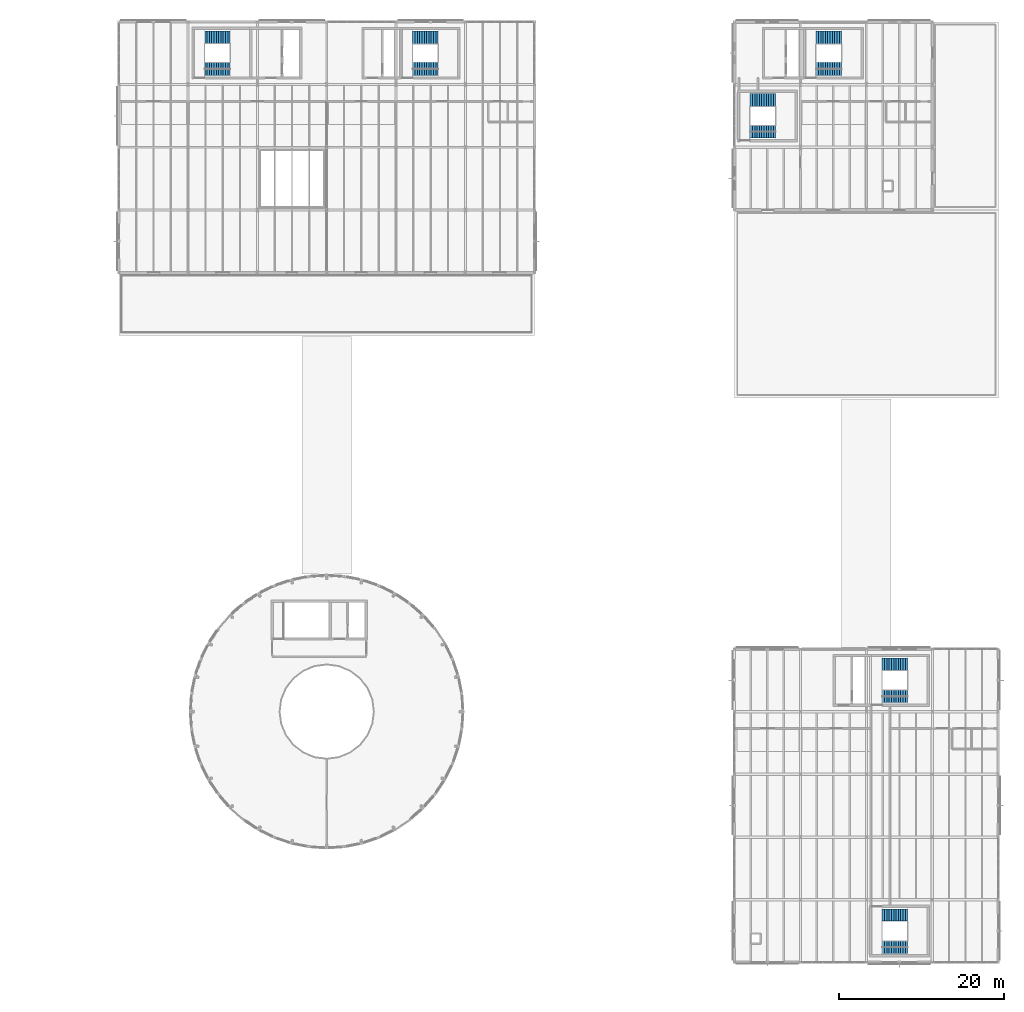
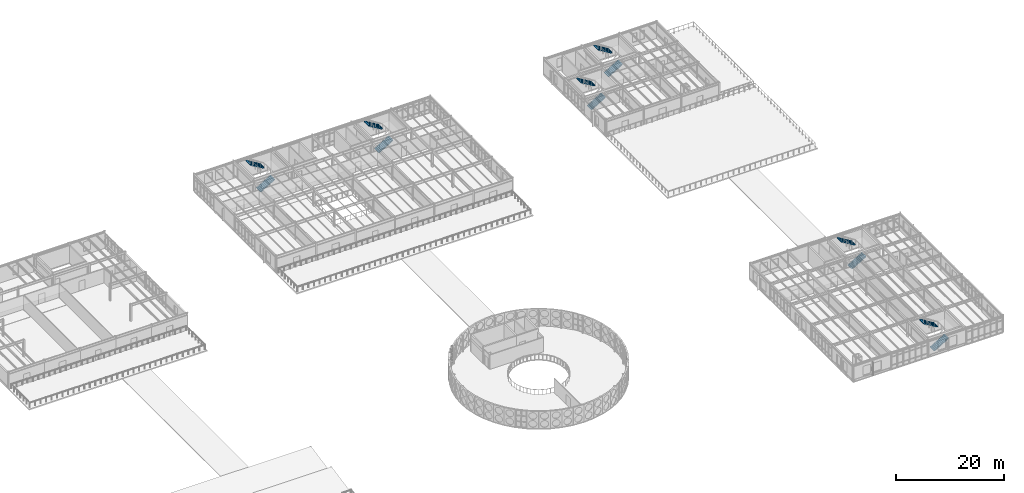
# One storey, part 97 of 114: 12 stair flights, 6 elements without a shape of their own.
"""IFC4 building model written with IfcOpenShell, lengths in metres."""

from ifc_helpers import new_model, si_unit, direction, frame, origin, place, context, subcontext, project, spatial, polyline, outline, extrude, material, type_object, element, aggregate, save


model = new_model("IFC4")

# Units and contexts
model_context = context("Model", 3, precision=1e-05, world=origin(), true_north=direction((0.0, 1.0)))
body_context = subcontext(model_context, "Body", "Model", "MODEL_VIEW")
ifc_project = project(units=[si_unit("LENGTHUNIT", "METRE"), si_unit("AREAUNIT", "SQUARE_METRE"), si_unit("VOLUMEUNIT", "CUBIC_METRE"), si_unit("PLANEANGLEUNIT", "RADIAN"), si_unit("MASSUNIT", "GRAM", prefix="KILO")], contexts=[model_context])

# Site, building, storey
site_placement = place(None, origin())
site = spatial("IfcSite", under=ifc_project, at=site_placement, CompositionType="ELEMENT")
building_placement = place(site_placement, origin())
building = spatial("IfcBuilding", under=site, at=building_placement, Name="Montecoro Central Library", CompositionType="ELEMENT")
storey_placement = place(building_placement, frame((0.0, 0.0, 13.260009765625)))
storey = spatial("IfcBuildingStorey", under=building, at=storey_placement, Name="L03", CompositionType="ELEMENT", Elevation=13.260009765625)

# Stair, stair flights
ifc_material = material(Name="Concrete C35/45", Category="concrete")
stair_type_1 = type_object("IfcStairType", Name="STR-RET-150", PredefinedType="HALF_TURN_STAIR", material=ifc_material)
stair_1_placement = place(storey_placement, origin())
stair_1 = element("IfcStair", 1, at=stair_1_placement, inside=storey, type_object=stair_type_1, Name="C7-L03-STR", PredefinedType="HALF_TURN_STAIR")
stair_flight_type_1 = type_object("IfcStairFlightType", Name="SFL-01", PredefinedType="STRAIGHT", material=ifc_material)
stair_flight_1_placement = place(storey_placement, frame((158.919921875, 37.25, 0.0), z_axis=(0.0, 0.0, 1.0), x_axis=(1.0, 0.0, 0.0)))
stair_flight_1 = element("IfcStairFlight", 2, at=stair_flight_1_placement, type_object=stair_flight_type_1, Name="ST-07 flight 1", NumberOfRisers=12, NumberOfTreads=11, PredefinedType="STRAIGHT", RiserHeight=0.17, TreadLength=0.28, context=body_context, shape_type="SweptSolid", body=[
    extrude(outline(polyline([(0.0, 0.0), (0.0, 0.169921875), (0.280029296875, 0.169921875), (0.280029296875, 0.340087890625), (0.56005859375, 0.340087890625), (0.56005859375, 0.510009765625), (0.840087890625, 0.510009765625), (0.840087890625, 0.679931640625), (1.1201171875, 0.679931640625), (1.1201171875, 0.85009765625), (1.39990234375, 0.85009765625), (1.39990234375, 1.02001953125), (1.679931640625, 1.02001953125), (1.679931640625, 1.18994140625), (1.9599609375, 1.18994140625), (1.9599609375, 1.360107421875), (2.239990234375, 1.360107421875), (2.239990234375, 1.530029296875), (2.52001953125, 1.530029296875), (2.52001953125, 1.699951171875), (2.800048828125, 1.699951171875), (2.800048828125, 1.8701171875), (3.080078125, 1.8701171875), (3.080078125, 2.0400390625), (3.080078125, 1.682861328125), (0.30810546875, 0.0), (0.0, 0.0)])), frame((0.0, 0.75, 0.0), z_axis=(0.0, -1.0, 0.0), x_axis=(1.0, 0.0, 0.0)), (0.0, 0.0, 1.0), 1.5),
])
stair_flight_2_placement = place(storey_placement, frame((162.0, 41.14990234375, 2.0400390625), z_axis=(0.0, 0.0, 1.0), x_axis=(-1.0, 0.0, 0.0)))
stair_flight_2 = element("IfcStairFlight", 3, at=stair_flight_2_placement, type_object=stair_flight_type_1, Name="ST-07 flight 2", NumberOfRisers=12, NumberOfTreads=11, PredefinedType="STRAIGHT", RiserHeight=0.17, TreadLength=0.28, context=body_context, shape_type="SweptSolid", body=[
    extrude(outline(polyline([(0.0, 0.0), (0.0, 0.169921875), (0.280029296875, 0.169921875), (0.280029296875, 0.340087890625), (0.56005859375, 0.340087890625), (0.56005859375, 0.510009765625), (0.840087890625, 0.510009765625), (0.840087890625, 0.679931640625), (1.1201171875, 0.679931640625), (1.1201171875, 0.85009765625), (1.39990234375, 0.85009765625), (1.39990234375, 1.02001953125), (1.679931640625, 1.02001953125), (1.679931640625, 1.18994140625), (1.9599609375, 1.18994140625), (1.9599609375, 1.360107421875), (2.239990234375, 1.360107421875), (2.239990234375, 1.530029296875), (2.52001953125, 1.530029296875), (2.52001953125, 1.699951171875), (2.800048828125, 1.699951171875), (2.800048828125, 1.8701171875), (3.080078125, 1.8701171875), (3.080078125, 2.0400390625), (3.080078125, 1.682861328125), (0.30810546875, 0.0), (0.0, 0.0)])), frame((0.0, 0.75, 0.0), z_axis=(0.0, -1.0, 0.0), x_axis=(1.0, 0.0, 0.0)), (0.0, 0.0, 1.0), 1.5),
])
aggregate(stair_1, [stair_flight_1, stair_flight_2])

stair_2_placement = place(storey_placement, origin())
stair_2 = element("IfcStair", 4, at=stair_2_placement, inside=storey, type_object=stair_type_1, Name="C10-L03-STR", PredefinedType="HALF_TURN_STAIR")
stair_flight_3_placement = place(storey_placement, frame((158.919921875, 6.85009765625, 0.0), z_axis=(0.0, 0.0, 1.0), x_axis=(1.0, 0.0, 0.0)))
stair_flight_3 = element("IfcStairFlight", 5, at=stair_flight_3_placement, type_object=stair_flight_type_1, Name="ST-10 flight 1", NumberOfRisers=12, NumberOfTreads=11, PredefinedType="STRAIGHT", RiserHeight=0.17, TreadLength=0.28, context=body_context, shape_type="SweptSolid", body=[
    extrude(outline(polyline([(0.0, 0.0), (0.0, 0.169921875), (0.280029296875, 0.169921875), (0.280029296875, 0.340087890625), (0.56005859375, 0.340087890625), (0.56005859375, 0.510009765625), (0.840087890625, 0.510009765625), (0.840087890625, 0.679931640625), (1.1201171875, 0.679931640625), (1.1201171875, 0.85009765625), (1.39990234375, 0.85009765625), (1.39990234375, 1.02001953125), (1.679931640625, 1.02001953125), (1.679931640625, 1.18994140625), (1.9599609375, 1.18994140625), (1.9599609375, 1.360107421875), (2.239990234375, 1.360107421875), (2.239990234375, 1.530029296875), (2.52001953125, 1.530029296875), (2.52001953125, 1.699951171875), (2.800048828125, 1.699951171875), (2.800048828125, 1.8701171875), (3.080078125, 1.8701171875), (3.080078125, 2.0400390625), (3.080078125, 1.682861328125), (0.30810546875, 0.0), (0.0, 0.0)])), frame((0.0, 0.75, 0.0), z_axis=(0.0, -1.0, 0.0), x_axis=(1.0, 0.0, 0.0)), (0.0, 0.0, 1.0), 1.5),
])
stair_flight_4_placement = place(storey_placement, frame((162.0, 10.75, 2.0400390625), z_axis=(0.0, 0.0, 1.0), x_axis=(-1.0, 0.0, 0.0)))
stair_flight_4 = element("IfcStairFlight", 6, at=stair_flight_4_placement, type_object=stair_flight_type_1, Name="ST-10 flight 2", NumberOfRisers=12, NumberOfTreads=11, PredefinedType="STRAIGHT", RiserHeight=0.17, TreadLength=0.28, context=body_context, shape_type="SweptSolid", body=[
    extrude(outline(polyline([(0.0, 0.0), (0.0, 0.169921875), (0.280029296875, 0.169921875), (0.280029296875, 0.340087890625), (0.56005859375, 0.340087890625), (0.56005859375, 0.510009765625), (0.840087890625, 0.510009765625), (0.840087890625, 0.679931640625), (1.1201171875, 0.679931640625), (1.1201171875, 0.85009765625), (1.39990234375, 0.85009765625), (1.39990234375, 1.02001953125), (1.679931640625, 1.02001953125), (1.679931640625, 1.18994140625), (1.9599609375, 1.18994140625), (1.9599609375, 1.360107421875), (2.239990234375, 1.360107421875), (2.239990234375, 1.530029296875), (2.52001953125, 1.530029296875), (2.52001953125, 1.699951171875), (2.800048828125, 1.699951171875), (2.800048828125, 1.8701171875), (3.080078125, 1.8701171875), (3.080078125, 2.0400390625), (3.080078125, 1.682861328125), (0.30810546875, 0.0), (0.0, 0.0)])), frame((0.0, 0.75, 0.0), z_axis=(0.0, -1.0, 0.0), x_axis=(1.0, 0.0, 0.0)), (0.0, 0.0, 1.0), 1.5),
])
aggregate(stair_2, [stair_flight_3, stair_flight_4])

stair_type_2 = type_object("IfcStairType", Name="STR-RET-155", PredefinedType="HALF_TURN_STAIR", material=ifc_material)
stair_3_placement = place(storey_placement, origin())
stair_3 = element("IfcStair", 7, at=stair_3_placement, inside=storey, type_object=stair_type_2, Name="C2-L03-STR", PredefinedType="HALF_TURN_STAIR")
stair_flight_type_2 = type_object("IfcStairFlightType", Name="SFL-02", PredefinedType="STRAIGHT", material=ifc_material)
stair_flight_5_placement = place(storey_placement, frame((76.820068359375, 113.27490234375, 0.0), z_axis=(0.0, 0.0, 1.0), x_axis=(1.0, 0.0, 0.0)))
stair_flight_5 = element("IfcStairFlight", 8, at=stair_flight_5_placement, type_object=stair_flight_type_2, Name="ST-02 flight 1", NumberOfRisers=12, NumberOfTreads=11, PredefinedType="STRAIGHT", RiserHeight=0.17, TreadLength=0.28, context=body_context, shape_type="SweptSolid", body=[
    extrude(outline(polyline([(0.0, 0.0), (0.0, 0.169921875), (0.280029296875, 0.169921875), (0.280029296875, 0.340087890625), (0.56005859375, 0.340087890625), (0.56005859375, 0.510009765625), (0.840087890625, 0.510009765625), (0.840087890625, 0.679931640625), (1.1201171875, 0.679931640625), (1.1201171875, 0.85009765625), (1.39990234375, 0.85009765625), (1.39990234375, 1.02001953125), (1.679931640625, 1.02001953125), (1.679931640625, 1.18994140625), (1.9599609375, 1.18994140625), (1.9599609375, 1.360107421875), (2.239990234375, 1.360107421875), (2.239990234375, 1.530029296875), (2.52001953125, 1.530029296875), (2.52001953125, 1.699951171875), (2.800048828125, 1.699951171875), (2.800048828125, 1.8701171875), (3.080078125, 1.8701171875), (3.080078125, 2.0400390625), (3.080078125, 1.682861328125), (0.30810546875, 0.0), (0.0, 0.0)])), frame((0.0, 0.77490234375, 0.0), z_axis=(0.0, -1.0, 0.0), x_axis=(1.0, 0.0, 0.0)), (0.0, 0.0, 1.0), 1.550048828125),
])
stair_flight_6_placement = place(storey_placement, frame((79.89990234375, 117.125, 2.0400390625), z_axis=(0.0, 0.0, 1.0), x_axis=(-1.0, 0.0, 0.0)))
stair_flight_6 = element("IfcStairFlight", 9, at=stair_flight_6_placement, type_object=stair_flight_type_2, Name="ST-02 flight 2", NumberOfRisers=12, NumberOfTreads=11, PredefinedType="STRAIGHT", RiserHeight=0.17, TreadLength=0.28, context=body_context, shape_type="SweptSolid", body=[
    extrude(outline(polyline([(0.0, 0.0), (0.0, 0.169921875), (0.280029296875, 0.169921875), (0.280029296875, 0.340087890625), (0.56005859375, 0.340087890625), (0.56005859375, 0.510009765625), (0.840087890625, 0.510009765625), (0.840087890625, 0.679931640625), (1.1201171875, 0.679931640625), (1.1201171875, 0.85009765625), (1.39990234375, 0.85009765625), (1.39990234375, 1.02001953125), (1.679931640625, 1.02001953125), (1.679931640625, 1.18994140625), (1.9599609375, 1.18994140625), (1.9599609375, 1.360107421875), (2.239990234375, 1.360107421875), (2.239990234375, 1.530029296875), (2.52001953125, 1.530029296875), (2.52001953125, 1.699951171875), (2.800048828125, 1.699951171875), (2.800048828125, 1.8701171875), (3.080078125, 1.8701171875), (3.080078125, 2.0400390625), (3.080078125, 1.682861328125), (0.30810546875, 0.0), (0.0, 0.0)])), frame((0.0, 0.77490234375, 0.0), z_axis=(0.0, -1.0, 0.0), x_axis=(1.0, 0.0, 0.0)), (0.0, 0.0, 1.0), 1.550048828125),
])
aggregate(stair_3, [stair_flight_5, stair_flight_6])

stair_4_placement = place(storey_placement, origin())
stair_4 = element("IfcStair", 10, at=stair_4_placement, inside=storey, type_object=stair_type_2, Name="C8-L03-STR", PredefinedType="HALF_TURN_STAIR")
stair_flight_7_placement = place(storey_placement, frame((142.919921875, 105.675048828125, 0.0), z_axis=(0.0, 0.0, 1.0), x_axis=(1.0, 0.0, 0.0)))
stair_flight_7 = element("IfcStairFlight", 11, at=stair_flight_7_placement, type_object=stair_flight_type_2, Name="ST-08 flight 1", NumberOfRisers=12, NumberOfTreads=11, PredefinedType="STRAIGHT", RiserHeight=0.17, TreadLength=0.28, context=body_context, shape_type="SweptSolid", body=[
    extrude(outline(polyline([(0.0, 0.0), (0.0, 0.169921875), (0.280029296875, 0.169921875), (0.280029296875, 0.340087890625), (0.56005859375, 0.340087890625), (0.56005859375, 0.510009765625), (0.840087890625, 0.510009765625), (0.840087890625, 0.679931640625), (1.1201171875, 0.679931640625), (1.1201171875, 0.85009765625), (1.39990234375, 0.85009765625), (1.39990234375, 1.02001953125), (1.679931640625, 1.02001953125), (1.679931640625, 1.18994140625), (1.9599609375, 1.18994140625), (1.9599609375, 1.360107421875), (2.239990234375, 1.360107421875), (2.239990234375, 1.530029296875), (2.52001953125, 1.530029296875), (2.52001953125, 1.699951171875), (2.800048828125, 1.699951171875), (2.800048828125, 1.8701171875), (3.080078125, 1.8701171875), (3.080078125, 2.0400390625), (3.080078125, 1.682861328125), (0.30810546875, 0.0), (0.0, 0.0)])), frame((0.0, 0.77490234375, 0.0), z_axis=(0.0, -1.0, 0.0), x_axis=(1.0, 0.0, 0.0)), (0.0, 0.0, 1.0), 1.550048828125),
])
stair_flight_8_placement = place(storey_placement, frame((146.0, 109.52490234375, 2.0400390625), z_axis=(0.0, 0.0, 1.0), x_axis=(-1.0, 0.0, 0.0)))
stair_flight_8 = element("IfcStairFlight", 12, at=stair_flight_8_placement, type_object=stair_flight_type_2, Name="ST-08 flight 2", NumberOfRisers=12, NumberOfTreads=11, PredefinedType="STRAIGHT", RiserHeight=0.17, TreadLength=0.28, context=body_context, shape_type="SweptSolid", body=[
    extrude(outline(polyline([(0.0, 0.0), (0.0, 0.169921875), (0.280029296875, 0.169921875), (0.280029296875, 0.340087890625), (0.56005859375, 0.340087890625), (0.56005859375, 0.510009765625), (0.840087890625, 0.510009765625), (0.840087890625, 0.679931640625), (1.1201171875, 0.679931640625), (1.1201171875, 0.85009765625), (1.39990234375, 0.85009765625), (1.39990234375, 1.02001953125), (1.679931640625, 1.02001953125), (1.679931640625, 1.18994140625), (1.9599609375, 1.18994140625), (1.9599609375, 1.360107421875), (2.239990234375, 1.360107421875), (2.239990234375, 1.530029296875), (2.52001953125, 1.530029296875), (2.52001953125, 1.699951171875), (2.800048828125, 1.699951171875), (2.800048828125, 1.8701171875), (3.080078125, 1.8701171875), (3.080078125, 2.0400390625), (3.080078125, 1.682861328125), (0.30810546875, 0.0), (0.0, 0.0)])), frame((0.0, 0.77490234375, 0.0), z_axis=(0.0, -1.0, 0.0), x_axis=(1.0, 0.0, 0.0)), (0.0, 0.0, 1.0), 1.550048828125),
])
aggregate(stair_4, [stair_flight_7, stair_flight_8])

stair_type_3 = type_object("IfcStairType", Name="STR-RET-160", PredefinedType="HALF_TURN_STAIR", material=ifc_material)
stair_5_placement = place(storey_placement, origin())
stair_5 = element("IfcStair", 13, at=stair_5_placement, inside=storey, type_object=stair_type_3, Name="C3-L03-STR", PredefinedType="HALF_TURN_STAIR")
stair_flight_type_3 = type_object("IfcStairFlightType", Name="SFL-03", PredefinedType="STRAIGHT", material=ifc_material)
stair_flight_9_placement = place(storey_placement, frame((102.02001953125, 113.300048828125, 0.0), z_axis=(0.0, 0.0, 1.0), x_axis=(1.0, 0.0, 0.0)))
stair_flight_9 = element("IfcStairFlight", 14, at=stair_flight_9_placement, type_object=stair_flight_type_3, Name="ST-03 flight 1", NumberOfRisers=12, NumberOfTreads=11, PredefinedType="STRAIGHT", RiserHeight=0.17, TreadLength=0.28, context=body_context, shape_type="SweptSolid", body=[
    extrude(outline(polyline([(0.0, 0.0), (0.0, 0.169921875), (0.280029296875, 0.169921875), (0.280029296875, 0.340087890625), (0.56005859375, 0.340087890625), (0.56005859375, 0.510009765625), (0.840087890625, 0.510009765625), (0.840087890625, 0.679931640625), (1.1201171875, 0.679931640625), (1.1201171875, 0.85009765625), (1.39990234375, 0.85009765625), (1.39990234375, 1.02001953125), (1.679931640625, 1.02001953125), (1.679931640625, 1.18994140625), (1.9599609375, 1.18994140625), (1.9599609375, 1.360107421875), (2.239990234375, 1.360107421875), (2.239990234375, 1.530029296875), (2.52001953125, 1.530029296875), (2.52001953125, 1.699951171875), (2.800048828125, 1.699951171875), (2.800048828125, 1.8701171875), (3.080078125, 1.8701171875), (3.080078125, 2.0400390625), (3.080078125, 1.682861328125), (0.30810546875, 0.0), (0.0, 0.0)])), frame((0.0, 0.800048828125, 0.0), z_axis=(0.0, -1.0, 0.0), x_axis=(1.0, 0.0, 0.0)), (0.0, 0.0, 1.0), 1.60009765625),
])
stair_flight_10_placement = place(storey_placement, frame((105.10009765625, 117.10009765625, 2.0400390625), z_axis=(0.0, 0.0, 1.0), x_axis=(-1.0, 0.0, 0.0)))
stair_flight_10 = element("IfcStairFlight", 15, at=stair_flight_10_placement, type_object=stair_flight_type_3, Name="ST-03 flight 2", NumberOfRisers=12, NumberOfTreads=11, PredefinedType="STRAIGHT", RiserHeight=0.17, TreadLength=0.28, context=body_context, shape_type="SweptSolid", body=[
    extrude(outline(polyline([(0.0, 0.0), (0.0, 0.169921875), (0.280029296875, 0.169921875), (0.280029296875, 0.340087890625), (0.56005859375, 0.340087890625), (0.56005859375, 0.510009765625), (0.840087890625, 0.510009765625), (0.840087890625, 0.679931640625), (1.1201171875, 0.679931640625), (1.1201171875, 0.85009765625), (1.39990234375, 0.85009765625), (1.39990234375, 1.02001953125), (1.679931640625, 1.02001953125), (1.679931640625, 1.18994140625), (1.9599609375, 1.18994140625), (1.9599609375, 1.360107421875), (2.239990234375, 1.360107421875), (2.239990234375, 1.530029296875), (2.52001953125, 1.530029296875), (2.52001953125, 1.699951171875), (2.800048828125, 1.699951171875), (2.800048828125, 1.8701171875), (3.080078125, 1.8701171875), (3.080078125, 2.0400390625), (3.080078125, 1.682861328125), (0.30810546875, 0.0), (0.0, 0.0)])), frame((0.0, 0.800048828125, 0.0), z_axis=(0.0, -1.0, 0.0), x_axis=(1.0, 0.0, 0.0)), (0.0, 0.0, 1.0), 1.60009765625),
])
aggregate(stair_5, [stair_flight_9, stair_flight_10])

stair_6_placement = place(storey_placement, origin())
stair_6 = element("IfcStair", 16, at=stair_6_placement, inside=storey, type_object=stair_type_3, Name="C6-L03-STR", PredefinedType="HALF_TURN_STAIR")
stair_flight_11_placement = place(storey_placement, frame((150.919921875, 113.300048828125, 0.0), z_axis=(0.0, 0.0, 1.0), x_axis=(1.0, 0.0, 0.0)))
stair_flight_11 = element("IfcStairFlight", 17, at=stair_flight_11_placement, type_object=stair_flight_type_3, Name="ST-06 flight 1", NumberOfRisers=12, NumberOfTreads=11, PredefinedType="STRAIGHT", RiserHeight=0.17, TreadLength=0.28, context=body_context, shape_type="SweptSolid", body=[
    extrude(outline(polyline([(0.0, 0.0), (0.0, 0.169921875), (0.280029296875, 0.169921875), (0.280029296875, 0.340087890625), (0.56005859375, 0.340087890625), (0.56005859375, 0.510009765625), (0.840087890625, 0.510009765625), (0.840087890625, 0.679931640625), (1.1201171875, 0.679931640625), (1.1201171875, 0.85009765625), (1.39990234375, 0.85009765625), (1.39990234375, 1.02001953125), (1.679931640625, 1.02001953125), (1.679931640625, 1.18994140625), (1.9599609375, 1.18994140625), (1.9599609375, 1.360107421875), (2.239990234375, 1.360107421875), (2.239990234375, 1.530029296875), (2.52001953125, 1.530029296875), (2.52001953125, 1.699951171875), (2.800048828125, 1.699951171875), (2.800048828125, 1.8701171875), (3.080078125, 1.8701171875), (3.080078125, 2.0400390625), (3.080078125, 1.682861328125), (0.30810546875, 0.0), (0.0, 0.0)])), frame((0.0, 0.800048828125, 0.0), z_axis=(0.0, -1.0, 0.0), x_axis=(1.0, 0.0, 0.0)), (0.0, 0.0, 1.0), 1.60009765625),
])
stair_flight_12_placement = place(storey_placement, frame((154.0, 117.10009765625, 2.0400390625), z_axis=(0.0, 0.0, 1.0), x_axis=(-1.0, 0.0, 0.0)))
stair_flight_12 = element("IfcStairFlight", 18, at=stair_flight_12_placement, type_object=stair_flight_type_3, Name="ST-06 flight 2", NumberOfRisers=12, NumberOfTreads=11, PredefinedType="STRAIGHT", RiserHeight=0.17, TreadLength=0.28, context=body_context, shape_type="SweptSolid", body=[
    extrude(outline(polyline([(0.0, 0.0), (0.0, 0.169921875), (0.280029296875, 0.169921875), (0.280029296875, 0.340087890625), (0.56005859375, 0.340087890625), (0.56005859375, 0.510009765625), (0.840087890625, 0.510009765625), (0.840087890625, 0.679931640625), (1.1201171875, 0.679931640625), (1.1201171875, 0.85009765625), (1.39990234375, 0.85009765625), (1.39990234375, 1.02001953125), (1.679931640625, 1.02001953125), (1.679931640625, 1.18994140625), (1.9599609375, 1.18994140625), (1.9599609375, 1.360107421875), (2.239990234375, 1.360107421875), (2.239990234375, 1.530029296875), (2.52001953125, 1.530029296875), (2.52001953125, 1.699951171875), (2.800048828125, 1.699951171875), (2.800048828125, 1.8701171875), (3.080078125, 1.8701171875), (3.080078125, 2.0400390625), (3.080078125, 1.682861328125), (0.30810546875, 0.0), (0.0, 0.0)])), frame((0.0, 0.800048828125, 0.0), z_axis=(0.0, -1.0, 0.0), x_axis=(1.0, 0.0, 0.0)), (0.0, 0.0, 1.0), 1.60009765625),
])
aggregate(stair_6, [stair_flight_11, stair_flight_12])

save(model, "model.ifc")
